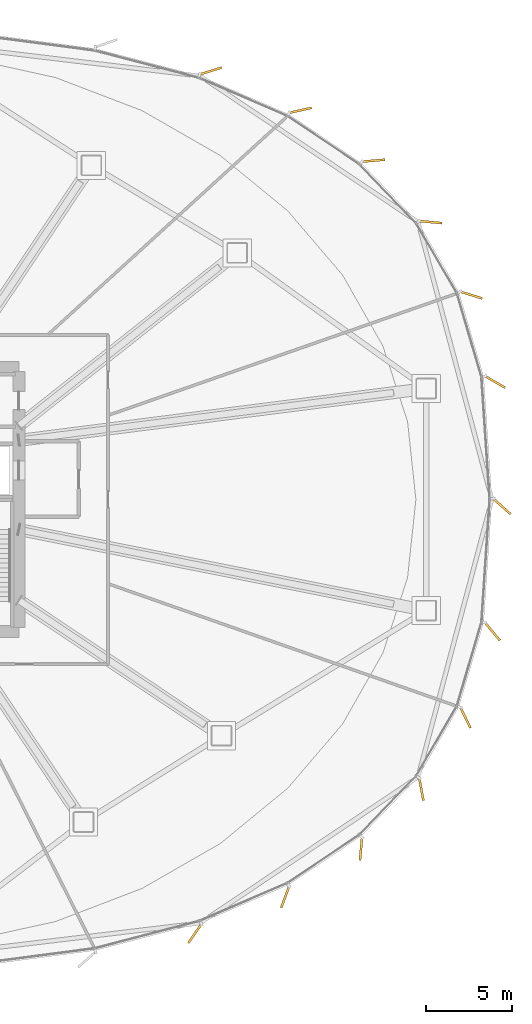
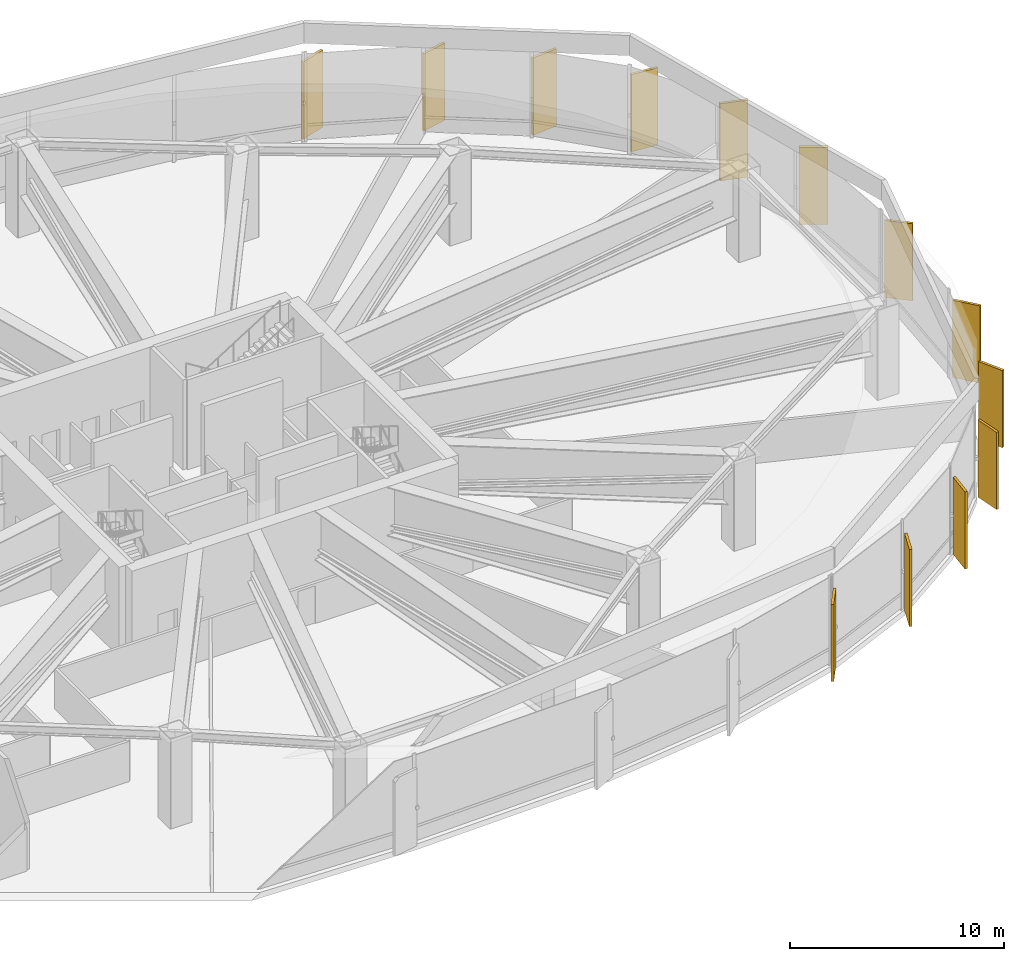
# One storey, part 36 of 36: 13 coverings.
"""IFC4 building model written with IfcOpenShell, lengths in metres."""

from ifc_helpers import new_model, si_unit, direction, frame, origin, origin_2d, place, context, subcontext, project, spatial, rectangle, extrude, source, transform, mapped, material, layer, layer_set, type_object, element, save


model = new_model("IFC4")

# Units and contexts
model_context = context("Model", 3, precision=1e-05, world=origin(), true_north=direction((0.0, 1.0)))
body_context = subcontext(model_context, "Body", "Model", "MODEL_VIEW")
ifc_project = project(units=[si_unit("LENGTHUNIT", "METRE"), si_unit("AREAUNIT", "SQUARE_METRE"), si_unit("VOLUMEUNIT", "CUBIC_METRE"), si_unit("PLANEANGLEUNIT", "RADIAN"), si_unit("MASSUNIT", "GRAM", prefix="KILO"), si_unit("THERMODYNAMICTEMPERATUREUNIT", "KELVIN")], contexts=[model_context])

# Site, building, storey
site_placement = place(None, origin())
site = spatial("IfcSite", under=ifc_project, at=site_placement, CompositionType="ELEMENT")
building_placement = place(site_placement, origin())
building = spatial("IfcBuilding", under=site, at=building_placement, Name="Kethvar Cultural Tower", CompositionType="ELEMENT")
storey_placement = place(building_placement, frame((0.0, 0.0, 24.0)))
storey = spatial("IfcBuildingStorey", under=building, at=storey_placement, Name="L05", CompositionType="ELEMENT", Elevation=24.0)

# Coverings
ifc_material = material(Name="Extruded Architectural Terracotta", Category="masonry")
ifc_layer = layer(ifc_material, 0.135009765625, Name="Extruded Architectural Terracotta", Category="masonry")
ifc_layer_set = layer_set([ifc_layer], Name="Extruded Architectural Terracotta (135 mm)")
covering_type = type_object("IfcCoveringType", Name="Terracotta Facade Fin FIN-04", PredefinedType="CLADDING", material=ifc_layer_set)
shared_shape = source(origin(), body_context, "Body", "SweptSolid", [
    extrude(rectangle(XDim=1.35009765625, YDim=0.135009765625, at=origin_2d()), origin(), (0.0, 0.0, 1.0), 4.39990234375),
])
for number, where, z_axis, x_axis, name in (
    (1, (83.77880859375, 27.403076171875, 0.02001953125), (0.0, 0.0, 1.0), (0.744194976126, -0.66796245217, 0.0), "L05 Vertical Terracotta Fin 1.1"),
    (2, (83.37890625, 34.66357421875, 0.02001953125), (0.0, 0.0, 1.0), (0.865850818101, -0.500302269426, 0.0), "L05 Vertical Terracotta Fin 1.2"),
    (3, (81.988525390625, 39.730712890625, 0.02001953125), (0.0, 0.0, 1.0), (0.954500927457, -0.298207946716, 0.0), "L05 Vertical Terracotta Fin 1.3"),
    (4, (79.6142578125, 43.986572265625, 0.02001953125), (0.0, 0.0, 1.0), (0.995676196569, -0.092891934994, 0.0), "L05 Vertical Terracotta Fin 1.4"),
    (5, (76.2802734375, 47.56884765625, 0.02001953125), (0.0, 0.0, 1.0), (0.996478239533, 0.083851762871, 0.0), "L05 Vertical Terracotta Fin 1.5"),
    (6, (72.01708984375, 50.50341796875, 0.02001953125), (0.0, 0.0, 1.0), (0.976371499317, 0.216098809163, 0.0), "L05 Vertical Terracotta Fin 1.6"),
    (7, (66.79052734375, 52.800537109375, 0.02001953125), (0.0, 0.0, 1.0), (0.954292506446, 0.298874241346, 0.0), "L05 Vertical Terracotta Fin 2.1"),
    (8, (65.866943359375, 2.48095703125, 0.02001953125), (0.0, 0.0, 1.0), (-0.566981447466, -0.82373056167, 0.0), "L05 Vertical Terracotta Fin 6.1"),
    (9, (71.1357421875, 4.61669921875, 0.02001953125), (0.0, 0.0, 1.0), (-0.348081239861, -0.9374643729, 0.0), "L05 Vertical Terracotta Fin 6.2"),
    (10, (75.55859375, 7.426513671875, 0.02001953125), (0.0, 0.0, 1.0), (-0.092023008338, -0.995756880939, 0.0), "L05 Vertical Terracotta Fin 6.3"),
    (11, (79.076904296875, 10.90234375, 0.02001953125), (0.0, 0.0, 1.0), (0.182750331554, -0.983159354488, 0.0), "L05 Vertical Terracotta Fin 6.4"),
    (12, (81.648193359375, 15.079345703125, 0.02001953125), (0.0, 0.0, 1.0), (0.43915532554, -0.898411153119, 0.0), "L05 Vertical Terracotta Fin 6.5"),
    (13, (83.229248046875, 20.09716796875, 0.02001953125), (0.0, 0.0, 1.0), (0.639707339446, -0.768618578918, 0.0), "L05 Vertical Terracotta Fin 6.6"),
):
    element("IfcCovering", number, at=place(storey_placement, frame(where, z_axis=z_axis, x_axis=x_axis)), inside=storey, type_object=covering_type, Name=name, PredefinedType="CLADDING", context=body_context, shape_type="MappedRepresentation", body=[
        mapped(shared_shape, transform((0.0, 0.0, 0.0), scale=1.0)),
    ])

save(model, "model.ifc")
